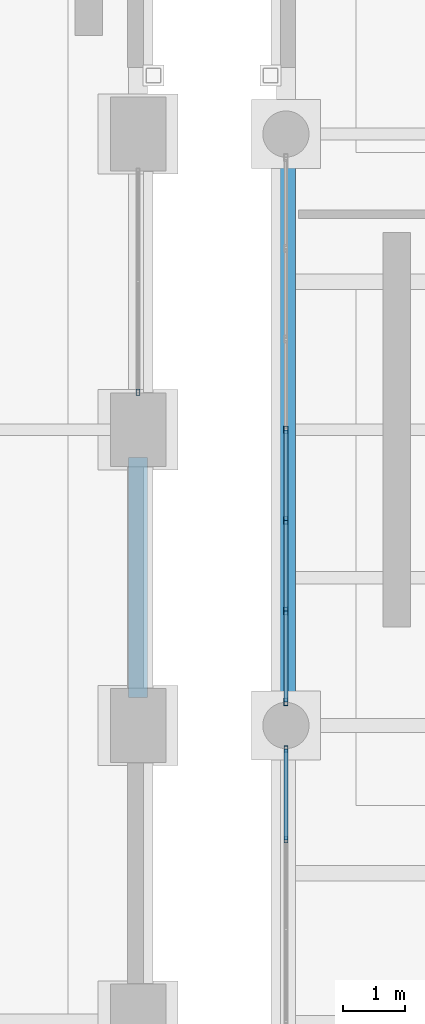
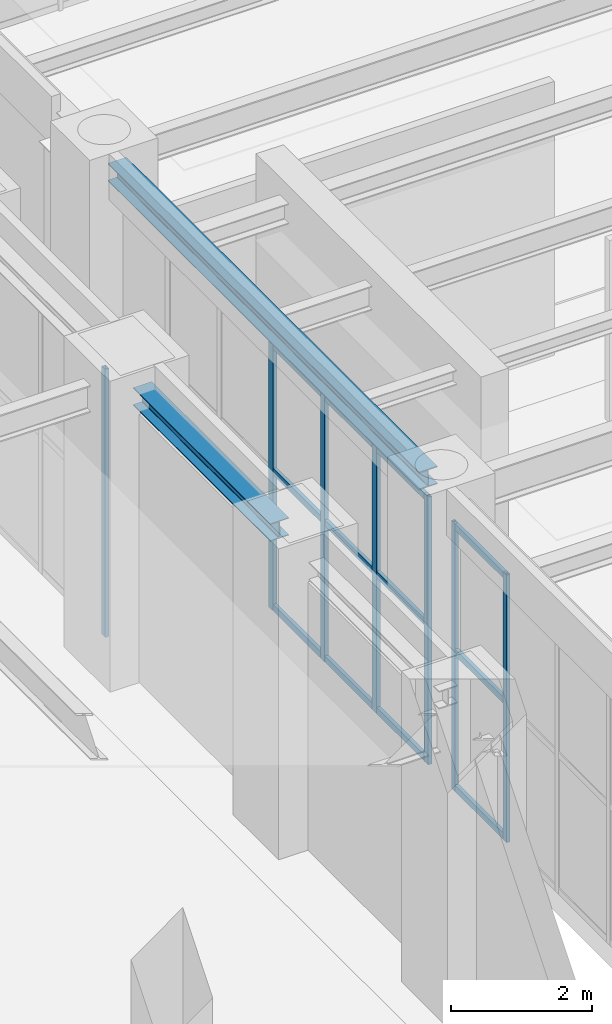
# One storey, part 43 of 164: 19 members, 2 beams, 3 elements without a shape of their own.
"""IFC4 building model written with IfcOpenShell, lengths in metres."""

from ifc_helpers import new_model, si_unit, direction, frame, origin, origin_2d, place, context, subcontext, project, spatial, hollow_rectangle, i_section, extrude, material, material_profile, profile_set, type_object, element, aggregate, save


model = new_model("IFC4")

# Units and contexts
model_context = context("Model", 3, precision=1e-05, world=origin(), true_north=direction((0.0, 1.0)))
body_context = subcontext(model_context, "Body", "Model", "MODEL_VIEW")
ifc_project = project(units=[si_unit("LENGTHUNIT", "METRE"), si_unit("AREAUNIT", "SQUARE_METRE"), si_unit("VOLUMEUNIT", "CUBIC_METRE"), si_unit("PLANEANGLEUNIT", "RADIAN"), si_unit("MASSUNIT", "GRAM", prefix="KILO")], contexts=[model_context])

# Site, building, storey
site_placement = place(None, origin())
site = spatial("IfcSite", under=ifc_project, at=site_placement, CompositionType="ELEMENT")
building_placement = place(site_placement, origin())
building = spatial("IfcBuilding", under=site, at=building_placement, Name="Mavantir Sound Aquarium", CompositionType="ELEMENT")
storey_placement = place(building_placement, origin())
storey = spatial("IfcBuildingStorey", under=building, at=storey_placement, Name="L00", CompositionType="ELEMENT", Elevation=0.0)

# Beams
ifc_material_1 = material(Name="Structural Steel ASTM A992 Gr50", Category="steel")
ifc_material_profile_1 = material_profile(ifc_material_1, i_section(OverallWidth=0.304931640625, OverallDepth=0.30810546875, WebThickness=0.010009765625, FlangeThickness=0.015380859375, FilletRadius=0.014892578125, at=origin_2d()), Name="W310X97")
ifc_profile_set_1 = profile_set([ifc_material_profile_1], Name="Structural Steel ASTM A992 Gr50")
beam_type = type_object("IfcBeamType", Name="BM-W310X97-E", PredefinedType="SPANDREL", material=ifc_profile_set_1)
beam_1_placement = place(storey_placement, frame((33.60009765625, 50.85009765625, 4.842041015625), z_axis=(0.0, 1.0, 0.0), x_axis=(-1.0, 0.0, 0.0)))
element("IfcBeam", 1, at=beam_1_placement, inside=storey, type_object=beam_type, Name="L00 primary girder SS-31A 860", PredefinedType="SPANDREL", context=body_context, shape_type="SweptSolid", body=[
    extrude(i_section(OverallWidth=0.304931640625, OverallDepth=0.30810546875, WebThickness=0.010009765625, FlangeThickness=0.015380859375, FilletRadius=0.014892578125, at=origin_2d()), origin(), (0.0, 0.0, 1.0), 3.89990234375),
])
beam_2_placement = place(storey_placement, frame((36.0, 50.77490234375, 4.94189453125), z_axis=(0.0, 1.0, 0.0), x_axis=(-1.0, 0.0, 0.0)))
element("IfcBeam", 2, at=beam_2_placement, inside=storey, type_object=beam_type, Name="L00 primary girder SS-31A 878", PredefinedType="SPANDREL", context=body_context, shape_type="SweptSolid", body=[
    extrude(i_section(OverallWidth=0.304931640625, OverallDepth=0.30810546875, WebThickness=0.010009765625, FlangeThickness=0.015380859375, FilletRadius=0.014892578125, at=origin_2d()), origin(), (0.0, 0.0, 1.0), 8.85009765625),
])

# Curtain wall, member
ifc_material_2 = material(Name="Anodised Marine Aluminium and Low-E Glass", Category="aluminium")
curtain_wall_type_1 = type_object("IfcCurtainWallType", Name="CW-T01", PredefinedType="USERDEFINED", material=ifc_material_2)
curtain_wall_1_placement = place(storey_placement, origin())
curtain_wall_1 = element("IfcCurtainWall", 3, at=curtain_wall_1_placement, inside=storey, type_object=curtain_wall_type_1, Name="L00 unitised curtain wall CW-01 1", ObjectType="UNITISED GLAZING", PredefinedType="USERDEFINED")
ifc_material_3 = material(Name="Anodised Marine Aluminium 6063-T6", Category="aluminium")
ifc_material_profile_2 = material_profile(ifc_material_3, hollow_rectangle(XDim=0.06005859375, YDim=0.10009765625, WallThickness=0.00390625, at=origin_2d()), Name="ALU-MULLION-100X60")
ifc_profile_set_2 = profile_set([ifc_material_profile_2], Name="Anodised Marine Aluminium 6063-T6")
member_type_1 = type_object("IfcMemberType", Name="CW-MUL-100", PredefinedType="MULLION", material=ifc_profile_set_2)
member_1_placement = place(storey_placement, frame((33.60009765625, 55.80810546875, 0.0), z_axis=(0.0, 0.0, 1.0), x_axis=(1.0, 0.0, 0.0)))
member_1 = element("IfcMember", 4, at=member_1_placement, type_object=member_type_1, Name="CW-L00-001 vertical mullion 1", PredefinedType="MULLION", context=body_context, shape_type="SweptSolid", body=[
    extrude(hollow_rectangle(XDim=0.06005859375, YDim=0.10009765625, WallThickness=0.00390625, at=origin_2d()), origin(), (0.0, 0.0, 1.0), 4.657958984375),
])
aggregate(curtain_wall_1, [member_1])

# Curtain wall, members
curtain_wall_type_2 = type_object("IfcCurtainWallType", Name="CW-T05", PredefinedType="USERDEFINED", material=ifc_material_2)
curtain_wall_2_placement = place(storey_placement, origin())
curtain_wall_2 = element("IfcCurtainWall", 5, at=curtain_wall_2_placement, inside=storey, type_object=curtain_wall_type_2, Name="L00 unitised curtain wall CW-05 5", ObjectType="UNITISED GLAZING", PredefinedType="USERDEFINED")
member_2_placement = place(storey_placement, frame((36.0, 50.01708984375, 0.0), z_axis=(0.0, 0.0, 1.0), x_axis=(1.0, 0.0, 0.0)))
member_2 = element("IfcMember", 6, at=member_2_placement, type_object=member_type_1, Name="CW-L00-005 vertical mullion 1", PredefinedType="MULLION", context=body_context, shape_type="SweptSolid", body=[
    extrude(hollow_rectangle(XDim=0.06005859375, YDim=0.10009765625, WallThickness=0.00390625, at=origin_2d()), origin(), (0.0, 0.0, 1.0), 4.64892578125),
])
member_3_placement = place(storey_placement, frame((36.0, 48.544677734375, 0.0), z_axis=(0.0, 0.0, 1.0), x_axis=(1.0, 0.0, 0.0)))
member_3 = element("IfcMember", 7, at=member_3_placement, type_object=member_type_1, Name="CW-L00-005 vertical mullion 2", PredefinedType="MULLION", context=body_context, shape_type="SweptSolid", body=[
    extrude(hollow_rectangle(XDim=0.06005859375, YDim=0.10009765625, WallThickness=0.00390625, at=origin_2d()), origin(), (0.0, 0.0, 1.0), 4.64892578125),
])

curtain_wall_type_3 = type_object("IfcCurtainWallType", Name="CW-T04", PredefinedType="USERDEFINED", material=ifc_material_2)
curtain_wall_3_placement = place(storey_placement, origin())
curtain_wall_3 = element("IfcCurtainWall", 8, at=curtain_wall_3_placement, inside=storey, type_object=curtain_wall_type_3, Name="L00 unitised curtain wall CW-04 4", ObjectType="UNITISED GLAZING", PredefinedType="USERDEFINED")
ifc_material_profile_3 = material_profile(ifc_material_3, hollow_rectangle(XDim=0.06494140625, YDim=0.1201171875, WallThickness=0.00390625, at=origin_2d()), Name="ALU-MULLION-120X65")
ifc_profile_set_3 = profile_set([ifc_material_profile_3], Name="Anodised Marine Aluminium 6063-T6")
member_type_2 = type_object("IfcMemberType", Name="CW-MUL-120", PredefinedType="MULLION", material=ifc_profile_set_3)
member_4_placement = place(storey_placement, frame((36.0, 55.199951171875, 0.0), z_axis=(0.0, 0.0, 1.0), x_axis=(1.0, 0.0, 0.0)))
member_4 = element("IfcMember", 9, at=member_4_placement, type_object=member_type_2, Name="CW-L00-004 vertical mullion 4", PredefinedType="MULLION", context=body_context, shape_type="SweptSolid", body=[
    extrude(hollow_rectangle(XDim=0.06494140625, YDim=0.1201171875, WallThickness=0.00390625, at=origin_2d()), origin(), (0.0, 0.0, 1.0), 4.64892578125),
])
member_5_placement = place(storey_placement, frame((36.0, 53.727783203125, 0.0), z_axis=(0.0, 0.0, 1.0), x_axis=(1.0, 0.0, 0.0)))
member_5 = element("IfcMember", 10, at=member_5_placement, type_object=member_type_2, Name="CW-L00-004 vertical mullion 5", PredefinedType="MULLION", context=body_context, shape_type="SweptSolid", body=[
    extrude(hollow_rectangle(XDim=0.06494140625, YDim=0.1201171875, WallThickness=0.00390625, at=origin_2d()), origin(), (0.0, 0.0, 1.0), 4.64892578125),
])
member_6_placement = place(storey_placement, frame((36.0, 52.25537109375, 0.0), z_axis=(0.0, 0.0, 1.0), x_axis=(1.0, 0.0, 0.0)))
member_6 = element("IfcMember", 11, at=member_6_placement, type_object=member_type_2, Name="CW-L00-004 vertical mullion 6", PredefinedType="MULLION", context=body_context, shape_type="SweptSolid", body=[
    extrude(hollow_rectangle(XDim=0.06494140625, YDim=0.1201171875, WallThickness=0.00390625, at=origin_2d()), origin(), (0.0, 0.0, 1.0), 4.64892578125),
])
member_7_placement = place(storey_placement, frame((36.0, 50.782958984375, 0.0), z_axis=(0.0, 0.0, 1.0), x_axis=(1.0, 0.0, 0.0)))
member_7 = element("IfcMember", 12, at=member_7_placement, type_object=member_type_2, Name="CW-L00-004 vertical mullion 7", PredefinedType="MULLION", context=body_context, shape_type="SweptSolid", body=[
    extrude(hollow_rectangle(XDim=0.06494140625, YDim=0.1201171875, WallThickness=0.00390625, at=origin_2d()), origin(), (0.0, 0.0, 1.0), 4.64892578125),
])
ifc_material_profile_4 = material_profile(ifc_material_3, hollow_rectangle(XDim=0.06005859375, YDim=0.110107421875, WallThickness=0.00390625, at=origin_2d()), Name="ALU-TRANSOM-110X60")
ifc_profile_set_4 = profile_set([ifc_material_profile_4], Name="Anodised Marine Aluminium 6063-T6")
member_type_3 = type_object("IfcMemberType", Name="CW-TRN-110", PredefinedType="USERDEFINED", material=ifc_profile_set_4)
member_8_placement = place(storey_placement, frame((36.0, 55.199951171875, 0.054931640625), z_axis=(0.0, -1.0, 0.0), x_axis=(1.0, 0.0, 0.0)))
member_8 = element("IfcMember", 13, at=member_8_placement, type_object=member_type_3, Name="CW-L00-004 transom 4.1", ObjectType="TRANSOM", PredefinedType="USERDEFINED", context=body_context, shape_type="SweptSolid", body=[
    extrude(hollow_rectangle(XDim=0.06005859375, YDim=0.110107421875, WallThickness=0.00390625, at=origin_2d()), origin(), (0.0, 0.0, 1.0), 1.47216796875),
])
member_9_placement = place(storey_placement, frame((36.0, 55.199951171875, 2.41748046875), z_axis=(0.0, -1.0, 0.0), x_axis=(1.0, 0.0, 0.0)))
member_9 = element("IfcMember", 14, at=member_9_placement, type_object=member_type_3, Name="CW-L00-004 transom 4.2", ObjectType="TRANSOM", PredefinedType="USERDEFINED", context=body_context, shape_type="SweptSolid", body=[
    extrude(hollow_rectangle(XDim=0.06005859375, YDim=0.110107421875, WallThickness=0.00390625, at=origin_2d()), origin(), (0.0, 0.0, 1.0), 1.47216796875),
])
member_10_placement = place(storey_placement, frame((36.0, 55.199951171875, 4.593994140625), z_axis=(0.0, -1.0, 0.0), x_axis=(1.0, 0.0, 0.0)))
member_10 = element("IfcMember", 15, at=member_10_placement, type_object=member_type_3, Name="CW-L00-004 transom 4.3", ObjectType="TRANSOM", PredefinedType="USERDEFINED", context=body_context, shape_type="SweptSolid", body=[
    extrude(hollow_rectangle(XDim=0.06005859375, YDim=0.110107421875, WallThickness=0.00390625, at=origin_2d()), origin(), (0.0, 0.0, 1.0), 1.47216796875),
])
member_11_placement = place(storey_placement, frame((36.0, 53.727783203125, 0.054931640625), z_axis=(0.0, -1.0, 0.0), x_axis=(1.0, 0.0, 0.0)))
member_11 = element("IfcMember", 16, at=member_11_placement, type_object=member_type_3, Name="CW-L00-004 transom 5.1", ObjectType="TRANSOM", PredefinedType="USERDEFINED", context=body_context, shape_type="SweptSolid", body=[
    extrude(hollow_rectangle(XDim=0.06005859375, YDim=0.110107421875, WallThickness=0.00390625, at=origin_2d()), origin(), (0.0, 0.0, 1.0), 1.472412109375),
])
member_12_placement = place(storey_placement, frame((36.0, 53.727783203125, 2.41748046875), z_axis=(0.0, -1.0, 0.0), x_axis=(1.0, 0.0, 0.0)))
member_12 = element("IfcMember", 17, at=member_12_placement, type_object=member_type_3, Name="CW-L00-004 transom 5.2", ObjectType="TRANSOM", PredefinedType="USERDEFINED", context=body_context, shape_type="SweptSolid", body=[
    extrude(hollow_rectangle(XDim=0.06005859375, YDim=0.110107421875, WallThickness=0.00390625, at=origin_2d()), origin(), (0.0, 0.0, 1.0), 1.472412109375),
])
member_13_placement = place(storey_placement, frame((36.0, 53.727783203125, 4.593994140625), z_axis=(0.0, -1.0, 0.0), x_axis=(1.0, 0.0, 0.0)))
member_13 = element("IfcMember", 18, at=member_13_placement, type_object=member_type_3, Name="CW-L00-004 transom 5.3", ObjectType="TRANSOM", PredefinedType="USERDEFINED", context=body_context, shape_type="SweptSolid", body=[
    extrude(hollow_rectangle(XDim=0.06005859375, YDim=0.110107421875, WallThickness=0.00390625, at=origin_2d()), origin(), (0.0, 0.0, 1.0), 1.472412109375),
])
member_14_placement = place(storey_placement, frame((36.0, 52.25537109375, 0.054931640625), z_axis=(0.0, -1.0, 0.0), x_axis=(1.0, 0.0, 0.0)))
member_14 = element("IfcMember", 19, at=member_14_placement, type_object=member_type_3, Name="CW-L00-004 transom 6.1", ObjectType="TRANSOM", PredefinedType="USERDEFINED", context=body_context, shape_type="SweptSolid", body=[
    extrude(hollow_rectangle(XDim=0.06005859375, YDim=0.110107421875, WallThickness=0.00390625, at=origin_2d()), origin(), (0.0, 0.0, 1.0), 1.472412109375),
])
member_15_placement = place(storey_placement, frame((36.0, 52.25537109375, 2.41748046875), z_axis=(0.0, -1.0, 0.0), x_axis=(1.0, 0.0, 0.0)))
member_15 = element("IfcMember", 20, at=member_15_placement, type_object=member_type_3, Name="CW-L00-004 transom 6.2", ObjectType="TRANSOM", PredefinedType="USERDEFINED", context=body_context, shape_type="SweptSolid", body=[
    extrude(hollow_rectangle(XDim=0.06005859375, YDim=0.110107421875, WallThickness=0.00390625, at=origin_2d()), origin(), (0.0, 0.0, 1.0), 1.472412109375),
])
member_16_placement = place(storey_placement, frame((36.0, 52.25537109375, 4.593994140625), z_axis=(0.0, -1.0, 0.0), x_axis=(1.0, 0.0, 0.0)))
member_16 = element("IfcMember", 21, at=member_16_placement, type_object=member_type_3, Name="CW-L00-004 transom 6.3", ObjectType="TRANSOM", PredefinedType="USERDEFINED", context=body_context, shape_type="SweptSolid", body=[
    extrude(hollow_rectangle(XDim=0.06005859375, YDim=0.110107421875, WallThickness=0.00390625, at=origin_2d()), origin(), (0.0, 0.0, 1.0), 1.472412109375),
])
aggregate(curtain_wall_3, [member_4, member_5, member_6, member_7, member_8, member_9, member_10, member_11, member_12, member_13, member_14, member_15, member_16])

# Member
member_17_placement = place(storey_placement, frame((36.0, 50.01708984375, 0.054931640625), z_axis=(0.0, -1.0, 0.0), x_axis=(1.0, 0.0, 0.0)))
member_17 = element("IfcMember", 22, at=member_17_placement, type_object=member_type_3, Name="CW-L00-005 transom 1.1", ObjectType="TRANSOM", PredefinedType="USERDEFINED", context=body_context, shape_type="SweptSolid", body=[
    extrude(hollow_rectangle(XDim=0.06005859375, YDim=0.110107421875, WallThickness=0.00390625, at=origin_2d()), origin(), (0.0, 0.0, 1.0), 1.472412109375),
])

member_18_placement = place(storey_placement, frame((36.0, 50.01708984375, 2.41748046875), z_axis=(0.0, -1.0, 0.0), x_axis=(1.0, 0.0, 0.0)))
member_18 = element("IfcMember", 23, at=member_18_placement, type_object=member_type_3, Name="CW-L00-005 transom 1.2", ObjectType="TRANSOM", PredefinedType="USERDEFINED", context=body_context, shape_type="SweptSolid", body=[
    extrude(hollow_rectangle(XDim=0.06005859375, YDim=0.110107421875, WallThickness=0.00390625, at=origin_2d()), origin(), (0.0, 0.0, 1.0), 1.472412109375),
])

member_19_placement = place(storey_placement, frame((36.0, 50.01708984375, 4.593994140625), z_axis=(0.0, -1.0, 0.0), x_axis=(1.0, 0.0, 0.0)))
member_19 = element("IfcMember", 24, at=member_19_placement, type_object=member_type_3, Name="CW-L00-005 transom 1.3", ObjectType="TRANSOM", PredefinedType="USERDEFINED", context=body_context, shape_type="SweptSolid", body=[
    extrude(hollow_rectangle(XDim=0.06005859375, YDim=0.110107421875, WallThickness=0.00390625, at=origin_2d()), origin(), (0.0, 0.0, 1.0), 1.472412109375),
])

aggregate(curtain_wall_2, [member_2, member_3, member_17, member_18, member_19])

save(model, "model.ifc")
